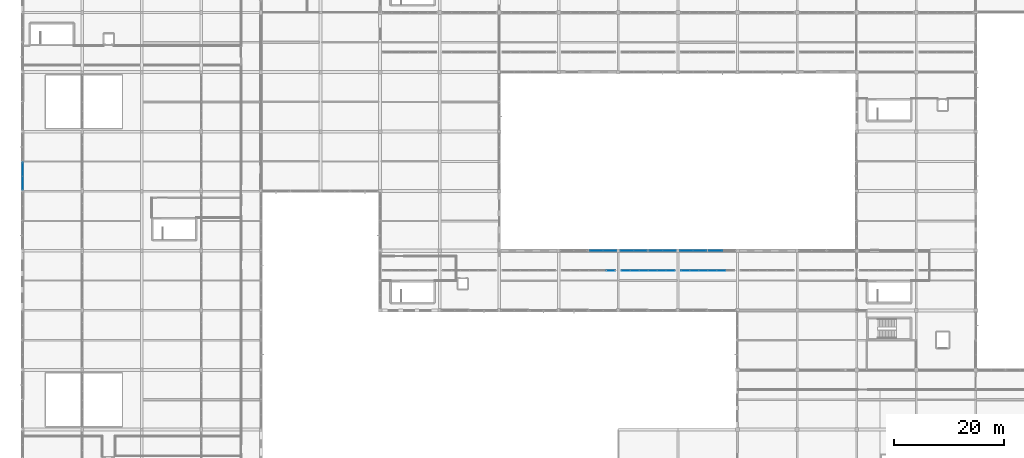
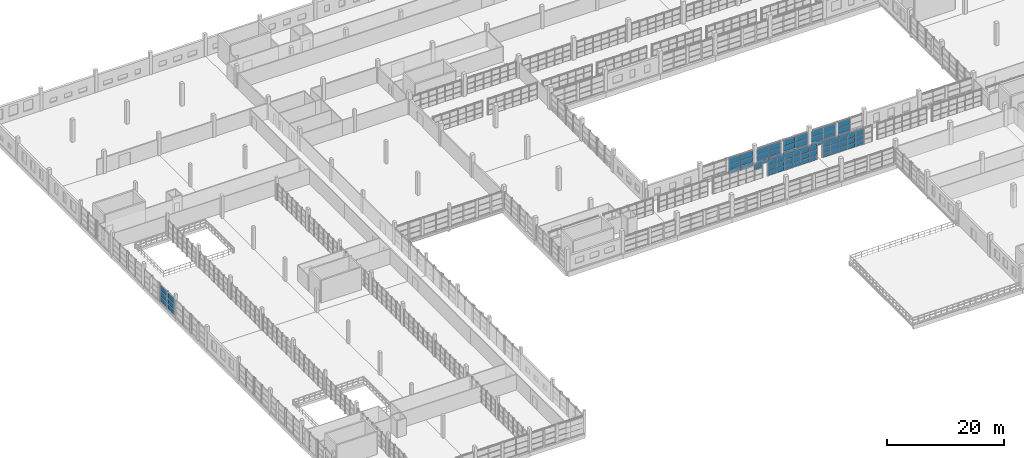
# One storey, part 88 of 142: 67 plates, 9 elements without a shape of their own.
"""IFC4 building model written with IfcOpenShell, lengths in metres."""

from ifc_helpers import new_model, si_unit, direction, frame, origin, origin_2d, place, context, subcontext, project, spatial, rectangle, extrude, material, layer, layer_set, type_object, element, aggregate, save


model = new_model("IFC4")

# Units and contexts
model_context = context("Model", 3, precision=1e-05, world=origin(), true_north=direction((0.0, 1.0)))
body_context = subcontext(model_context, "Body", "Model", "MODEL_VIEW")
ifc_project = project(units=[si_unit("LENGTHUNIT", "METRE"), si_unit("AREAUNIT", "SQUARE_METRE"), si_unit("VOLUMEUNIT", "CUBIC_METRE"), si_unit("PLANEANGLEUNIT", "RADIAN"), si_unit("MASSUNIT", "GRAM", prefix="KILO")], contexts=[model_context])

# Site, building, storey
site_placement = place(None, origin())
site = spatial("IfcSite", under=ifc_project, at=site_placement, CompositionType="ELEMENT")
building_placement = place(site_placement, origin())
building = spatial("IfcBuilding", under=site, at=building_placement, Name="Zwinboog Wholesale Market", CompositionType="ELEMENT")
storey_placement = place(building_placement, frame((0.0, 0.0, 5.39990234375)))
storey = spatial("IfcBuildingStorey", under=building, at=storey_placement, Name="L01", CompositionType="ELEMENT", Elevation=5.39990234375)

# Curtain wall, plates
ifc_material_1 = material(Name="Aluminium thermally broken curtain wall", Category="aluminium")
curtain_wall_type_1 = type_object("IfcCurtainWallType", Name="CWT-CAFE-22", PredefinedType="USERDEFINED", material=ifc_material_1)
curtain_wall_1_placement = place(storey_placement, origin())
curtain_wall_1 = element("IfcCurtainWall", 1, at=curtain_wall_1_placement, inside=storey, type_object=curtain_wall_type_1, Name="CW-05 (CW-L01-059)", ObjectType="STOREFRONT_GLAZING", PredefinedType="USERDEFINED")
ifc_material_2 = material(Name="Double low-e insulated glazing", Category="glass")
ifc_layer_1 = layer(ifc_material_2, 0.031982421875)
ifc_layer_set_1 = layer_set([ifc_layer_1], Name="Double low-e insulated glazing")
plate_type_1 = type_object("IfcPlateType", Name="CWP-IGU-32", PredefinedType="CURTAIN_PANEL", material=ifc_layer_set_1)
plate_1_placement = place(storey_placement, frame((0.0, 66.28125, 0.065185546875), z_axis=(0.0, 0.0, 1.0), x_axis=(0.0, 1.0, 0.0)))
plate_1 = element("IfcPlate", 2, at=plate_1_placement, type_object=plate_type_1, Name="CW-05 panel 1.1", PredefinedType="CURTAIN_PANEL", context=body_context, shape_type="SweptSolid", body=[
    extrude(rectangle(XDim=2.392578125, YDim=0.031982421875, at=origin_2d()), origin(), (0.0, 0.0, 1.0), 1.00244140625),
])
plate_2_placement = place(storey_placement, frame((0.0, 66.28125, 1.132568359375), z_axis=(0.0, 0.0, 1.0), x_axis=(0.0, 1.0, 0.0)))
plate_2 = element("IfcPlate", 3, at=plate_2_placement, type_object=plate_type_1, Name="CW-05 panel 1.2", PredefinedType="CURTAIN_PANEL", context=body_context, shape_type="SweptSolid", body=[
    extrude(rectangle(XDim=2.392578125, YDim=0.031982421875, at=origin_2d()), origin(), (0.0, 0.0, 1.0), 1.0849609375),
])
plate_3_placement = place(storey_placement, frame((0.0, 66.28125, 2.282470703125), z_axis=(0.0, 0.0, 1.0), x_axis=(0.0, 1.0, 0.0)))
plate_3 = element("IfcPlate", 4, at=plate_3_placement, type_object=plate_type_1, Name="CW-05 panel 1.3", PredefinedType="CURTAIN_PANEL", context=body_context, shape_type="SweptSolid", body=[
    extrude(rectangle(XDim=2.392578125, YDim=0.031982421875, at=origin_2d()), origin(), (0.0, 0.0, 1.0), 1.1826171875),
])
plate_4_placement = place(storey_placement, frame((0.0, 68.73876953125, 0.065185546875), z_axis=(0.0, 0.0, 1.0), x_axis=(0.0, 1.0, 0.0)))
plate_4 = element("IfcPlate", 5, at=plate_4_placement, type_object=plate_type_1, Name="CW-05 panel 2.1", PredefinedType="CURTAIN_PANEL", context=body_context, shape_type="SweptSolid", body=[
    extrude(rectangle(XDim=2.392578125, YDim=0.031982421875, at=origin_2d()), origin(), (0.0, 0.0, 1.0), 1.00244140625),
])
plate_5_placement = place(storey_placement, frame((0.0, 68.73876953125, 1.132568359375), z_axis=(0.0, 0.0, 1.0), x_axis=(0.0, 1.0, 0.0)))
plate_5 = element("IfcPlate", 6, at=plate_5_placement, type_object=plate_type_1, Name="CW-05 panel 2.2", PredefinedType="CURTAIN_PANEL", context=body_context, shape_type="SweptSolid", body=[
    extrude(rectangle(XDim=2.392578125, YDim=0.031982421875, at=origin_2d()), origin(), (0.0, 0.0, 1.0), 1.0849609375),
])
plate_6_placement = place(storey_placement, frame((0.0, 68.73876953125, 2.282470703125), z_axis=(0.0, 0.0, 1.0), x_axis=(0.0, 1.0, 0.0)))
plate_6 = element("IfcPlate", 7, at=plate_6_placement, type_object=plate_type_1, Name="CW-05 panel 2.3", PredefinedType="CURTAIN_PANEL", context=body_context, shape_type="SweptSolid", body=[
    extrude(rectangle(XDim=2.392578125, YDim=0.031982421875, at=origin_2d()), origin(), (0.0, 0.0, 1.0), 1.1826171875),
])
aggregate(curtain_wall_1, [plate_1, plate_2, plate_3, plate_4, plate_5, plate_6])

curtain_wall_type_2 = type_object("IfcCurtainWallType", Name="CWT-OFF-15", PredefinedType="USERDEFINED", material=ifc_material_1)
curtain_wall_2_placement = place(storey_placement, origin())
curtain_wall_2 = element("IfcCurtainWall", 8, at=curtain_wall_2_placement, inside=storey, type_object=curtain_wall_type_2, Name="CW-06 (CW-L01-102)", ObjectType="UNITIZED_CURTAIN_WALL", PredefinedType="USERDEFINED")
ifc_material_3 = material(Name="Triple solar-control insulated glazing", Category="glass")
ifc_layer_2 = layer(ifc_material_3, 0.0380859375)
ifc_layer_set_2 = layer_set([ifc_layer_2], Name="Triple solar-control insulated glazing")
plate_type_2 = type_object("IfcPlateType", Name="CWP-IGU-38", PredefinedType="CURTAIN_PANEL", material=ifc_layer_set_2)
plate_7_placement = place(storey_placement, frame((104.034912109375, 54.0, 0.06005859375), z_axis=(0.0, 0.0, 1.0), x_axis=(1.0, 0.0, 0.0)))
plate_7 = element("IfcPlate", 9, at=plate_7_placement, type_object=plate_type_2, Name="CW-06 panel 1.1", PredefinedType="CURTAIN_PANEL", context=body_context, shape_type="SweptSolid", body=[
    extrude(rectangle(XDim=2.35009765625, YDim=0.0380859375, at=origin_2d()), origin(), (0.0, 0.0, 1.0), 1.010009765625),
])
plate_8_placement = place(storey_placement, frame((104.034912109375, 54.0, 1.1298828125), z_axis=(0.0, 0.0, 1.0), x_axis=(1.0, 0.0, 0.0)))
plate_8 = element("IfcPlate", 10, at=plate_8_placement, type_object=plate_type_2, Name="CW-06 panel 1.2", PredefinedType="CURTAIN_PANEL", context=body_context, shape_type="SweptSolid", body=[
    extrude(rectangle(XDim=2.35009765625, YDim=0.0380859375, at=origin_2d()), origin(), (0.0, 0.0, 1.0), 1.090087890625),
])
plate_9_placement = place(storey_placement, frame((104.034912109375, 54.0, 2.280029296875), z_axis=(0.0, 0.0, 1.0), x_axis=(1.0, 0.0, 0.0)))
plate_9 = element("IfcPlate", 11, at=plate_9_placement, type_object=plate_type_2, Name="CW-06 panel 1.3", PredefinedType="CURTAIN_PANEL", context=body_context, shape_type="SweptSolid", body=[
    extrude(rectangle(XDim=2.35009765625, YDim=0.0380859375, at=origin_2d()), origin(), (0.0, 0.0, 1.0), 1.18994140625),
])
plate_10_placement = place(storey_placement, frame((106.445068359375, 54.0, 0.06005859375), z_axis=(0.0, 0.0, 1.0), x_axis=(1.0, 0.0, 0.0)))
plate_10 = element("IfcPlate", 12, at=plate_10_placement, type_object=plate_type_2, Name="CW-06 panel 2.1", PredefinedType="CURTAIN_PANEL", context=body_context, shape_type="SweptSolid", body=[
    extrude(rectangle(XDim=2.35009765625, YDim=0.0380859375, at=origin_2d()), origin(), (0.0, 0.0, 1.0), 1.010009765625),
])
plate_11_placement = place(storey_placement, frame((106.445068359375, 54.0, 1.1298828125), z_axis=(0.0, 0.0, 1.0), x_axis=(1.0, 0.0, 0.0)))
plate_11 = element("IfcPlate", 13, at=plate_11_placement, type_object=plate_type_2, Name="CW-06 panel 2.2", PredefinedType="CURTAIN_PANEL", context=body_context, shape_type="SweptSolid", body=[
    extrude(rectangle(XDim=2.35009765625, YDim=0.0380859375, at=origin_2d()), origin(), (0.0, 0.0, 1.0), 1.090087890625),
])
plate_12_placement = place(storey_placement, frame((106.445068359375, 54.0, 2.280029296875), z_axis=(0.0, 0.0, 1.0), x_axis=(1.0, 0.0, 0.0)))
plate_12 = element("IfcPlate", 14, at=plate_12_placement, type_object=plate_type_2, Name="CW-06 panel 2.3", PredefinedType="CURTAIN_PANEL", context=body_context, shape_type="SweptSolid", body=[
    extrude(rectangle(XDim=2.35009765625, YDim=0.0380859375, at=origin_2d()), origin(), (0.0, 0.0, 1.0), 1.18994140625),
])
aggregate(curtain_wall_2, [plate_7, plate_8, plate_9, plate_10, plate_11, plate_12])

curtain_wall_type_3 = type_object("IfcCurtainWallType", Name="CWT-HALL-24", PredefinedType="USERDEFINED", material=ifc_material_1)
curtain_wall_3_placement = place(storey_placement, origin())
curtain_wall_3 = element("IfcCurtainWall", 15, at=curtain_wall_3_placement, inside=storey, type_object=curtain_wall_type_3, Name="CW-03 (CW-L01-105)", ObjectType="UNITIZED_CURTAIN_WALL", PredefinedType="USERDEFINED")
plate_13_placement = place(storey_placement, frame((109.55615234375, 54.0, 0.065185546875), z_axis=(0.0, 0.0, 1.0), x_axis=(1.0, 0.0, 0.0)))
plate_13 = element("IfcPlate", 16, at=plate_13_placement, type_object=plate_type_2, Name="CW-03 panel 1.1", PredefinedType="CURTAIN_PANEL", context=body_context, shape_type="SweptSolid", body=[
    extrude(rectangle(XDim=2.342529296875, YDim=0.0380859375, at=origin_2d()), origin(), (0.0, 0.0, 1.0), 1.00244140625),
])
plate_14_placement = place(storey_placement, frame((109.55615234375, 54.0, 1.132568359375), z_axis=(0.0, 0.0, 1.0), x_axis=(1.0, 0.0, 0.0)))
plate_14 = element("IfcPlate", 17, at=plate_14_placement, type_object=plate_type_2, Name="CW-03 panel 1.2", PredefinedType="CURTAIN_PANEL", context=body_context, shape_type="SweptSolid", body=[
    extrude(rectangle(XDim=2.342529296875, YDim=0.0380859375, at=origin_2d()), origin(), (0.0, 0.0, 1.0), 1.0849609375),
])
plate_15_placement = place(storey_placement, frame((109.55615234375, 54.0, 2.282470703125), z_axis=(0.0, 0.0, 1.0), x_axis=(1.0, 0.0, 0.0)))
plate_15 = element("IfcPlate", 18, at=plate_15_placement, type_object=plate_type_2, Name="CW-03 panel 1.3", PredefinedType="CURTAIN_PANEL", context=body_context, shape_type="SweptSolid", body=[
    extrude(rectangle(XDim=2.342529296875, YDim=0.0380859375, at=origin_2d()), origin(), (0.0, 0.0, 1.0), 1.1826171875),
])
plate_16_placement = place(storey_placement, frame((111.9638671875, 54.0, 0.065185546875), z_axis=(0.0, 0.0, 1.0), x_axis=(1.0, 0.0, 0.0)))
plate_16 = element("IfcPlate", 19, at=plate_16_placement, type_object=plate_type_2, Name="CW-03 panel 2.1", PredefinedType="CURTAIN_PANEL", context=body_context, shape_type="SweptSolid", body=[
    extrude(rectangle(XDim=2.342529296875, YDim=0.0380859375, at=origin_2d()), origin(), (0.0, 0.0, 1.0), 1.00244140625),
])
plate_17_placement = place(storey_placement, frame((111.9638671875, 54.0, 1.132568359375), z_axis=(0.0, 0.0, 1.0), x_axis=(1.0, 0.0, 0.0)))
plate_17 = element("IfcPlate", 20, at=plate_17_placement, type_object=plate_type_2, Name="CW-03 panel 2.2", PredefinedType="CURTAIN_PANEL", context=body_context, shape_type="SweptSolid", body=[
    extrude(rectangle(XDim=2.342529296875, YDim=0.0380859375, at=origin_2d()), origin(), (0.0, 0.0, 1.0), 1.0849609375),
])
plate_18_placement = place(storey_placement, frame((111.9638671875, 54.0, 2.282470703125), z_axis=(0.0, 0.0, 1.0), x_axis=(1.0, 0.0, 0.0)))
plate_18 = element("IfcPlate", 21, at=plate_18_placement, type_object=plate_type_2, Name="CW-03 panel 2.3", PredefinedType="CURTAIN_PANEL", context=body_context, shape_type="SweptSolid", body=[
    extrude(rectangle(XDim=2.342529296875, YDim=0.0380859375, at=origin_2d()), origin(), (0.0, 0.0, 1.0), 1.1826171875),
])
aggregate(curtain_wall_3, [plate_13, plate_14, plate_15, plate_16, plate_17, plate_18])

curtain_wall_type_4 = type_object("IfcCurtainWallType", Name="CWT-GAL-16", PredefinedType="USERDEFINED", material=ifc_material_1)
curtain_wall_4_placement = place(storey_placement, origin())
curtain_wall_4 = element("IfcCurtainWall", 22, at=curtain_wall_4_placement, inside=storey, type_object=curtain_wall_type_4, Name="CW-04 (CW-L01-106)", ObjectType="UNITIZED_CURTAIN_WALL", PredefinedType="USERDEFINED")
plate_19_placement = place(storey_placement, frame((114.8349609375, 54.0, 0.06005859375), z_axis=(0.0, 0.0, 1.0), x_axis=(1.0, 0.0, 0.0)))
plate_19 = element("IfcPlate", 23, at=plate_19_placement, type_object=plate_type_2, Name="CW-04 panel 1.1", PredefinedType="CURTAIN_PANEL", context=body_context, shape_type="SweptSolid", body=[
    extrude(rectangle(XDim=2.35009765625, YDim=0.0380859375, at=origin_2d()), origin(), (0.0, 0.0, 1.0), 1.010009765625),
])
plate_20_placement = place(storey_placement, frame((114.8349609375, 54.0, 1.1298828125), z_axis=(0.0, 0.0, 1.0), x_axis=(1.0, 0.0, 0.0)))
plate_20 = element("IfcPlate", 24, at=plate_20_placement, type_object=plate_type_2, Name="CW-04 panel 1.2", PredefinedType="CURTAIN_PANEL", context=body_context, shape_type="SweptSolid", body=[
    extrude(rectangle(XDim=2.35009765625, YDim=0.0380859375, at=origin_2d()), origin(), (0.0, 0.0, 1.0), 1.090087890625),
])
plate_21_placement = place(storey_placement, frame((114.8349609375, 54.0, 2.280029296875), z_axis=(0.0, 0.0, 1.0), x_axis=(1.0, 0.0, 0.0)))
plate_21 = element("IfcPlate", 25, at=plate_21_placement, type_object=plate_type_2, Name="CW-04 panel 1.3", PredefinedType="CURTAIN_PANEL", context=body_context, shape_type="SweptSolid", body=[
    extrude(rectangle(XDim=2.35009765625, YDim=0.0380859375, at=origin_2d()), origin(), (0.0, 0.0, 1.0), 1.18994140625),
])
plate_22_placement = place(storey_placement, frame((117.2451171875, 54.0, 0.06005859375), z_axis=(0.0, 0.0, 1.0), x_axis=(1.0, 0.0, 0.0)))
plate_22 = element("IfcPlate", 26, at=plate_22_placement, type_object=plate_type_2, Name="CW-04 panel 2.1", PredefinedType="CURTAIN_PANEL", context=body_context, shape_type="SweptSolid", body=[
    extrude(rectangle(XDim=2.35009765625, YDim=0.0380859375, at=origin_2d()), origin(), (0.0, 0.0, 1.0), 1.010009765625),
])
plate_23_placement = place(storey_placement, frame((117.2451171875, 54.0, 1.1298828125), z_axis=(0.0, 0.0, 1.0), x_axis=(1.0, 0.0, 0.0)))
plate_23 = element("IfcPlate", 27, at=plate_23_placement, type_object=plate_type_2, Name="CW-04 panel 2.2", PredefinedType="CURTAIN_PANEL", context=body_context, shape_type="SweptSolid", body=[
    extrude(rectangle(XDim=2.35009765625, YDim=0.0380859375, at=origin_2d()), origin(), (0.0, 0.0, 1.0), 1.090087890625),
])
plate_24_placement = place(storey_placement, frame((117.2451171875, 54.0, 2.280029296875), z_axis=(0.0, 0.0, 1.0), x_axis=(1.0, 0.0, 0.0)))
plate_24 = element("IfcPlate", 28, at=plate_24_placement, type_object=plate_type_2, Name="CW-04 panel 2.3", PredefinedType="CURTAIN_PANEL", context=body_context, shape_type="SweptSolid", body=[
    extrude(rectangle(XDim=2.35009765625, YDim=0.0380859375, at=origin_2d()), origin(), (0.0, 0.0, 1.0), 1.18994140625),
])
aggregate(curtain_wall_4, [plate_19, plate_20, plate_21, plate_22, plate_23, plate_24])

curtain_wall_5_placement = place(storey_placement, origin())
curtain_wall_5 = element("IfcCurtainWall", 29, at=curtain_wall_5_placement, inside=storey, type_object=curtain_wall_type_3, Name="CW-03 (CW-L01-111)", ObjectType="UNITIZED_CURTAIN_WALL", PredefinedType="USERDEFINED")
plate_25_placement = place(storey_placement, frame((120.356201171875, 54.0, 0.065185546875), z_axis=(0.0, 0.0, 1.0), x_axis=(1.0, 0.0, 0.0)))
plate_25 = element("IfcPlate", 30, at=plate_25_placement, type_object=plate_type_2, Name="CW-03 panel 1.1", PredefinedType="CURTAIN_PANEL", context=body_context, shape_type="SweptSolid", body=[
    extrude(rectangle(XDim=2.342529296875, YDim=0.0380859375, at=origin_2d()), origin(), (0.0, 0.0, 1.0), 1.00244140625),
])
plate_26_placement = place(storey_placement, frame((120.356201171875, 54.0, 1.132568359375), z_axis=(0.0, 0.0, 1.0), x_axis=(1.0, 0.0, 0.0)))
plate_26 = element("IfcPlate", 31, at=plate_26_placement, type_object=plate_type_2, Name="CW-03 panel 1.2", PredefinedType="CURTAIN_PANEL", context=body_context, shape_type="SweptSolid", body=[
    extrude(rectangle(XDim=2.342529296875, YDim=0.0380859375, at=origin_2d()), origin(), (0.0, 0.0, 1.0), 1.0849609375),
])
plate_27_placement = place(storey_placement, frame((120.356201171875, 54.0, 2.282470703125), z_axis=(0.0, 0.0, 1.0), x_axis=(1.0, 0.0, 0.0)))
plate_27 = element("IfcPlate", 32, at=plate_27_placement, type_object=plate_type_2, Name="CW-03 panel 1.3", PredefinedType="CURTAIN_PANEL", context=body_context, shape_type="SweptSolid", body=[
    extrude(rectangle(XDim=2.342529296875, YDim=0.0380859375, at=origin_2d()), origin(), (0.0, 0.0, 1.0), 1.1826171875),
])
plate_28_placement = place(storey_placement, frame((122.763671875, 54.0, 0.065185546875), z_axis=(0.0, 0.0, 1.0), x_axis=(1.0, 0.0, 0.0)))
plate_28 = element("IfcPlate", 33, at=plate_28_placement, type_object=plate_type_2, Name="CW-03 panel 2.1", PredefinedType="CURTAIN_PANEL", context=body_context, shape_type="SweptSolid", body=[
    extrude(rectangle(XDim=2.342529296875, YDim=0.0380859375, at=origin_2d()), origin(), (0.0, 0.0, 1.0), 1.00244140625),
])
plate_29_placement = place(storey_placement, frame((122.763671875, 54.0, 1.132568359375), z_axis=(0.0, 0.0, 1.0), x_axis=(1.0, 0.0, 0.0)))
plate_29 = element("IfcPlate", 34, at=plate_29_placement, type_object=plate_type_2, Name="CW-03 panel 2.2", PredefinedType="CURTAIN_PANEL", context=body_context, shape_type="SweptSolid", body=[
    extrude(rectangle(XDim=2.342529296875, YDim=0.0380859375, at=origin_2d()), origin(), (0.0, 0.0, 1.0), 1.0849609375),
])
plate_30_placement = place(storey_placement, frame((122.763671875, 54.0, 2.282470703125), z_axis=(0.0, 0.0, 1.0), x_axis=(1.0, 0.0, 0.0)))
plate_30 = element("IfcPlate", 35, at=plate_30_placement, type_object=plate_type_2, Name="CW-03 panel 2.3", PredefinedType="CURTAIN_PANEL", context=body_context, shape_type="SweptSolid", body=[
    extrude(rectangle(XDim=2.342529296875, YDim=0.0380859375, at=origin_2d()), origin(), (0.0, 0.0, 1.0), 1.1826171875),
])
aggregate(curtain_wall_5, [plate_25, plate_26, plate_27, plate_28, plate_29, plate_30])

curtain_wall_6_placement = place(storey_placement, origin())
curtain_wall_6 = element("IfcCurtainWall", 36, at=curtain_wall_6_placement, inside=storey, type_object=curtain_wall_type_4, Name="CW-04 (CW-L01-112)", ObjectType="UNITIZED_CURTAIN_WALL", PredefinedType="USERDEFINED")
plate_31_placement = place(storey_placement, frame((125.635009765625, 54.0, 0.06005859375), z_axis=(0.0, 0.0, 1.0), x_axis=(1.0, 0.0, 0.0)))
plate_31 = element("IfcPlate", 37, at=plate_31_placement, type_object=plate_type_2, Name="CW-04 panel 1.1", PredefinedType="CURTAIN_PANEL", context=body_context, shape_type="SweptSolid", body=[
    extrude(rectangle(XDim=2.35009765625, YDim=0.0380859375, at=origin_2d()), origin(), (0.0, 0.0, 1.0), 1.010009765625),
])
plate_32_placement = place(storey_placement, frame((125.635009765625, 54.0, 1.1298828125), z_axis=(0.0, 0.0, 1.0), x_axis=(1.0, 0.0, 0.0)))
plate_32 = element("IfcPlate", 38, at=plate_32_placement, type_object=plate_type_2, Name="CW-04 panel 1.2", PredefinedType="CURTAIN_PANEL", context=body_context, shape_type="SweptSolid", body=[
    extrude(rectangle(XDim=2.35009765625, YDim=0.0380859375, at=origin_2d()), origin(), (0.0, 0.0, 1.0), 1.090087890625),
])
plate_33_placement = place(storey_placement, frame((125.635009765625, 54.0, 2.280029296875), z_axis=(0.0, 0.0, 1.0), x_axis=(1.0, 0.0, 0.0)))
plate_33 = element("IfcPlate", 39, at=plate_33_placement, type_object=plate_type_2, Name="CW-04 panel 1.3", PredefinedType="CURTAIN_PANEL", context=body_context, shape_type="SweptSolid", body=[
    extrude(rectangle(XDim=2.35009765625, YDim=0.0380859375, at=origin_2d()), origin(), (0.0, 0.0, 1.0), 1.18994140625),
])
aggregate(curtain_wall_6, [plate_31, plate_32, plate_33])

# Curtain wall, plate
curtain_wall_type_5 = type_object("IfcCurtainWallType", Name="CWT-INT-STALL", PredefinedType="USERDEFINED", material=ifc_material_1)
curtain_wall_7_placement = place(storey_placement, origin())
curtain_wall_7 = element("IfcCurtainWall", 40, at=curtain_wall_7_placement, inside=storey, type_object=curtain_wall_type_5, Name="CW-07 (CW-STL-228)", ObjectType="STOREFRONT_GLAZING", PredefinedType="USERDEFINED")
ifc_material_4 = material(Name="Tempered laminated market stall glazing", Category="glass")
ifc_layer_3 = layer(ifc_material_4, 0.01611328125)
ifc_layer_set_3 = layer_set([ifc_layer_3], Name="Tempered laminated market stall glazing")
plate_type_3 = type_object("IfcPlateType", Name="CWP-INT-16", PredefinedType="CURTAIN_PANEL", material=ifc_layer_set_3)
plate_34_placement = place(storey_placement, frame((106.626708984375, 50.39990234375, 2.22998046875), z_axis=(0.0, 0.0, 1.0), x_axis=(1.0, 0.0, 0.0)))
plate_34 = element("IfcPlate", 41, at=plate_34_placement, type_object=plate_type_3, Name="CW-07 panel 6.3", PredefinedType="CURTAIN_PANEL", context=body_context, shape_type="SweptSolid", body=[
    extrude(rectangle(XDim=1.526611328125, YDim=0.01611328125, at=origin_2d()), origin(), (0.0, 0.0, 1.0), 1.110107421875),
])
aggregate(curtain_wall_7, [plate_34])

# Curtain wall, plates
curtain_wall_8_placement = place(storey_placement, origin())
curtain_wall_8 = element("IfcCurtainWall", 42, at=curtain_wall_8_placement, inside=storey, type_object=curtain_wall_type_5, Name="CW-07 (CW-STL-229)", ObjectType="STOREFRONT_GLAZING", PredefinedType="USERDEFINED")
plate_35_placement = place(storey_placement, frame((109.373291015625, 50.39990234375, 0.06005859375), z_axis=(0.0, 0.0, 1.0), x_axis=(1.0, 0.0, 0.0)))
plate_35 = element("IfcPlate", 43, at=plate_35_placement, type_object=plate_type_3, Name="CW-07 panel 1.1", PredefinedType="CURTAIN_PANEL", context=body_context, shape_type="SweptSolid", body=[
    extrude(rectangle(XDim=1.526611328125, YDim=0.01611328125, at=origin_2d()), origin(), (0.0, 0.0, 1.0), 0.9599609375),
])
plate_36_placement = place(storey_placement, frame((109.373291015625, 50.39990234375, 1.080078125), z_axis=(0.0, 0.0, 1.0), x_axis=(1.0, 0.0, 0.0)))
plate_36 = element("IfcPlate", 44, at=plate_36_placement, type_object=plate_type_3, Name="CW-07 panel 1.2", PredefinedType="CURTAIN_PANEL", context=body_context, shape_type="SweptSolid", body=[
    extrude(rectangle(XDim=1.526611328125, YDim=0.01611328125, at=origin_2d()), origin(), (0.0, 0.0, 1.0), 1.090087890625),
])
plate_37_placement = place(storey_placement, frame((109.373291015625, 50.39990234375, 2.22998046875), z_axis=(0.0, 0.0, 1.0), x_axis=(1.0, 0.0, 0.0)))
plate_37 = element("IfcPlate", 45, at=plate_37_placement, type_object=plate_type_3, Name="CW-07 panel 1.3", PredefinedType="CURTAIN_PANEL", context=body_context, shape_type="SweptSolid", body=[
    extrude(rectangle(XDim=1.526611328125, YDim=0.01611328125, at=origin_2d()), origin(), (0.0, 0.0, 1.0), 1.110107421875),
])
plate_38_placement = place(storey_placement, frame((110.97509765625, 50.39990234375, 0.06005859375), z_axis=(0.0, 0.0, 1.0), x_axis=(1.0, 0.0, 0.0)))
plate_38 = element("IfcPlate", 46, at=plate_38_placement, type_object=plate_type_3, Name="CW-07 panel 2.1", PredefinedType="CURTAIN_PANEL", context=body_context, shape_type="SweptSolid", body=[
    extrude(rectangle(XDim=1.556640625, YDim=0.01611328125, at=origin_2d()), origin(), (0.0, 0.0, 1.0), 0.9599609375),
])
plate_39_placement = place(storey_placement, frame((110.97509765625, 50.39990234375, 1.080078125), z_axis=(0.0, 0.0, 1.0), x_axis=(1.0, 0.0, 0.0)))
plate_39 = element("IfcPlate", 47, at=plate_39_placement, type_object=plate_type_3, Name="CW-07 panel 2.2", PredefinedType="CURTAIN_PANEL", context=body_context, shape_type="SweptSolid", body=[
    extrude(rectangle(XDim=1.556640625, YDim=0.01611328125, at=origin_2d()), origin(), (0.0, 0.0, 1.0), 1.090087890625),
])
plate_40_placement = place(storey_placement, frame((110.97509765625, 50.39990234375, 2.22998046875), z_axis=(0.0, 0.0, 1.0), x_axis=(1.0, 0.0, 0.0)))
plate_40 = element("IfcPlate", 48, at=plate_40_placement, type_object=plate_type_3, Name="CW-07 panel 2.3", PredefinedType="CURTAIN_PANEL", context=body_context, shape_type="SweptSolid", body=[
    extrude(rectangle(XDim=1.556640625, YDim=0.01611328125, at=origin_2d()), origin(), (0.0, 0.0, 1.0), 1.110107421875),
])
plate_41_placement = place(storey_placement, frame((112.591552734375, 50.39990234375, 0.06005859375), z_axis=(0.0, 0.0, 1.0), x_axis=(1.0, 0.0, 0.0)))
plate_41 = element("IfcPlate", 49, at=plate_41_placement, type_object=plate_type_3, Name="CW-07 panel 3.1", PredefinedType="CURTAIN_PANEL", context=body_context, shape_type="SweptSolid", body=[
    extrude(rectangle(XDim=1.556640625, YDim=0.01611328125, at=origin_2d()), origin(), (0.0, 0.0, 1.0), 0.9599609375),
])
plate_42_placement = place(storey_placement, frame((112.591552734375, 50.39990234375, 1.080078125), z_axis=(0.0, 0.0, 1.0), x_axis=(1.0, 0.0, 0.0)))
plate_42 = element("IfcPlate", 50, at=plate_42_placement, type_object=plate_type_3, Name="CW-07 panel 3.2", PredefinedType="CURTAIN_PANEL", context=body_context, shape_type="SweptSolid", body=[
    extrude(rectangle(XDim=1.556640625, YDim=0.01611328125, at=origin_2d()), origin(), (0.0, 0.0, 1.0), 1.090087890625),
])
plate_43_placement = place(storey_placement, frame((112.591552734375, 50.39990234375, 2.22998046875), z_axis=(0.0, 0.0, 1.0), x_axis=(1.0, 0.0, 0.0)))
plate_43 = element("IfcPlate", 51, at=plate_43_placement, type_object=plate_type_3, Name="CW-07 panel 3.3", PredefinedType="CURTAIN_PANEL", context=body_context, shape_type="SweptSolid", body=[
    extrude(rectangle(XDim=1.556640625, YDim=0.01611328125, at=origin_2d()), origin(), (0.0, 0.0, 1.0), 1.110107421875),
])
plate_44_placement = place(storey_placement, frame((114.208251953125, 50.39990234375, 0.06005859375), z_axis=(0.0, 0.0, 1.0), x_axis=(1.0, 0.0, 0.0)))
plate_44 = element("IfcPlate", 52, at=plate_44_placement, type_object=plate_type_3, Name="CW-07 panel 4.1", PredefinedType="CURTAIN_PANEL", context=body_context, shape_type="SweptSolid", body=[
    extrude(rectangle(XDim=1.556640625, YDim=0.01611328125, at=origin_2d()), origin(), (0.0, 0.0, 1.0), 0.9599609375),
])
plate_45_placement = place(storey_placement, frame((114.208251953125, 50.39990234375, 1.080078125), z_axis=(0.0, 0.0, 1.0), x_axis=(1.0, 0.0, 0.0)))
plate_45 = element("IfcPlate", 53, at=plate_45_placement, type_object=plate_type_3, Name="CW-07 panel 4.2", PredefinedType="CURTAIN_PANEL", context=body_context, shape_type="SweptSolid", body=[
    extrude(rectangle(XDim=1.556640625, YDim=0.01611328125, at=origin_2d()), origin(), (0.0, 0.0, 1.0), 1.090087890625),
])
plate_46_placement = place(storey_placement, frame((114.208251953125, 50.39990234375, 2.22998046875), z_axis=(0.0, 0.0, 1.0), x_axis=(1.0, 0.0, 0.0)))
plate_46 = element("IfcPlate", 54, at=plate_46_placement, type_object=plate_type_3, Name="CW-07 panel 4.3", PredefinedType="CURTAIN_PANEL", context=body_context, shape_type="SweptSolid", body=[
    extrude(rectangle(XDim=1.556640625, YDim=0.01611328125, at=origin_2d()), origin(), (0.0, 0.0, 1.0), 1.110107421875),
])
plate_47_placement = place(storey_placement, frame((115.824951171875, 50.39990234375, 0.06005859375), z_axis=(0.0, 0.0, 1.0), x_axis=(1.0, 0.0, 0.0)))
plate_47 = element("IfcPlate", 55, at=plate_47_placement, type_object=plate_type_3, Name="CW-07 panel 5.1", PredefinedType="CURTAIN_PANEL", context=body_context, shape_type="SweptSolid", body=[
    extrude(rectangle(XDim=1.556640625, YDim=0.01611328125, at=origin_2d()), origin(), (0.0, 0.0, 1.0), 0.9599609375),
])
plate_48_placement = place(storey_placement, frame((115.824951171875, 50.39990234375, 1.080078125), z_axis=(0.0, 0.0, 1.0), x_axis=(1.0, 0.0, 0.0)))
plate_48 = element("IfcPlate", 56, at=plate_48_placement, type_object=plate_type_3, Name="CW-07 panel 5.2", PredefinedType="CURTAIN_PANEL", context=body_context, shape_type="SweptSolid", body=[
    extrude(rectangle(XDim=1.556640625, YDim=0.01611328125, at=origin_2d()), origin(), (0.0, 0.0, 1.0), 1.090087890625),
])
plate_49_placement = place(storey_placement, frame((115.824951171875, 50.39990234375, 2.22998046875), z_axis=(0.0, 0.0, 1.0), x_axis=(1.0, 0.0, 0.0)))
plate_49 = element("IfcPlate", 57, at=plate_49_placement, type_object=plate_type_3, Name="CW-07 panel 5.3", PredefinedType="CURTAIN_PANEL", context=body_context, shape_type="SweptSolid", body=[
    extrude(rectangle(XDim=1.556640625, YDim=0.01611328125, at=origin_2d()), origin(), (0.0, 0.0, 1.0), 1.110107421875),
])
plate_50_placement = place(storey_placement, frame((117.4267578125, 50.39990234375, 0.06005859375), z_axis=(0.0, 0.0, 1.0), x_axis=(1.0, 0.0, 0.0)))
plate_50 = element("IfcPlate", 58, at=plate_50_placement, type_object=plate_type_3, Name="CW-07 panel 6.1", PredefinedType="CURTAIN_PANEL", context=body_context, shape_type="SweptSolid", body=[
    extrude(rectangle(XDim=1.526611328125, YDim=0.01611328125, at=origin_2d()), origin(), (0.0, 0.0, 1.0), 0.9599609375),
])
plate_51_placement = place(storey_placement, frame((117.4267578125, 50.39990234375, 1.080078125), z_axis=(0.0, 0.0, 1.0), x_axis=(1.0, 0.0, 0.0)))
plate_51 = element("IfcPlate", 59, at=plate_51_placement, type_object=plate_type_3, Name="CW-07 panel 6.2", PredefinedType="CURTAIN_PANEL", context=body_context, shape_type="SweptSolid", body=[
    extrude(rectangle(XDim=1.526611328125, YDim=0.01611328125, at=origin_2d()), origin(), (0.0, 0.0, 1.0), 1.090087890625),
])
plate_52_placement = place(storey_placement, frame((117.4267578125, 50.39990234375, 2.22998046875), z_axis=(0.0, 0.0, 1.0), x_axis=(1.0, 0.0, 0.0)))
plate_52 = element("IfcPlate", 60, at=plate_52_placement, type_object=plate_type_3, Name="CW-07 panel 6.3", PredefinedType="CURTAIN_PANEL", context=body_context, shape_type="SweptSolid", body=[
    extrude(rectangle(XDim=1.526611328125, YDim=0.01611328125, at=origin_2d()), origin(), (0.0, 0.0, 1.0), 1.110107421875),
])
aggregate(curtain_wall_8, [plate_35, plate_36, plate_37, plate_38, plate_39, plate_40, plate_41, plate_42, plate_43, plate_44, plate_45, plate_46, plate_47, plate_48, plate_49, plate_50, plate_51, plate_52])

curtain_wall_9_placement = place(storey_placement, origin())
curtain_wall_9 = element("IfcCurtainWall", 61, at=curtain_wall_9_placement, inside=storey, type_object=curtain_wall_type_5, Name="CW-07 (CW-STL-230)", ObjectType="STOREFRONT_GLAZING", PredefinedType="USERDEFINED")
plate_53_placement = place(storey_placement, frame((120.17333984375, 50.39990234375, 0.06005859375), z_axis=(0.0, 0.0, 1.0), x_axis=(1.0, 0.0, 0.0)))
plate_53 = element("IfcPlate", 62, at=plate_53_placement, type_object=plate_type_3, Name="CW-07 panel 1.1", PredefinedType="CURTAIN_PANEL", context=body_context, shape_type="SweptSolid", body=[
    extrude(rectangle(XDim=1.526611328125, YDim=0.01611328125, at=origin_2d()), origin(), (0.0, 0.0, 1.0), 0.9599609375),
])
plate_54_placement = place(storey_placement, frame((120.17333984375, 50.39990234375, 1.080078125), z_axis=(0.0, 0.0, 1.0), x_axis=(1.0, 0.0, 0.0)))
plate_54 = element("IfcPlate", 63, at=plate_54_placement, type_object=plate_type_3, Name="CW-07 panel 1.2", PredefinedType="CURTAIN_PANEL", context=body_context, shape_type="SweptSolid", body=[
    extrude(rectangle(XDim=1.526611328125, YDim=0.01611328125, at=origin_2d()), origin(), (0.0, 0.0, 1.0), 1.090087890625),
])
plate_55_placement = place(storey_placement, frame((120.17333984375, 50.39990234375, 2.22998046875), z_axis=(0.0, 0.0, 1.0), x_axis=(1.0, 0.0, 0.0)))
plate_55 = element("IfcPlate", 64, at=plate_55_placement, type_object=plate_type_3, Name="CW-07 panel 1.3", PredefinedType="CURTAIN_PANEL", context=body_context, shape_type="SweptSolid", body=[
    extrude(rectangle(XDim=1.526611328125, YDim=0.01611328125, at=origin_2d()), origin(), (0.0, 0.0, 1.0), 1.110107421875),
])
plate_56_placement = place(storey_placement, frame((121.77490234375, 50.39990234375, 0.06005859375), z_axis=(0.0, 0.0, 1.0), x_axis=(1.0, 0.0, 0.0)))
plate_56 = element("IfcPlate", 65, at=plate_56_placement, type_object=plate_type_3, Name="CW-07 panel 2.1", PredefinedType="CURTAIN_PANEL", context=body_context, shape_type="SweptSolid", body=[
    extrude(rectangle(XDim=1.556640625, YDim=0.01611328125, at=origin_2d()), origin(), (0.0, 0.0, 1.0), 0.9599609375),
])
plate_57_placement = place(storey_placement, frame((121.77490234375, 50.39990234375, 1.080078125), z_axis=(0.0, 0.0, 1.0), x_axis=(1.0, 0.0, 0.0)))
plate_57 = element("IfcPlate", 66, at=plate_57_placement, type_object=plate_type_3, Name="CW-07 panel 2.2", PredefinedType="CURTAIN_PANEL", context=body_context, shape_type="SweptSolid", body=[
    extrude(rectangle(XDim=1.556640625, YDim=0.01611328125, at=origin_2d()), origin(), (0.0, 0.0, 1.0), 1.090087890625),
])
plate_58_placement = place(storey_placement, frame((121.77490234375, 50.39990234375, 2.22998046875), z_axis=(0.0, 0.0, 1.0), x_axis=(1.0, 0.0, 0.0)))
plate_58 = element("IfcPlate", 67, at=plate_58_placement, type_object=plate_type_3, Name="CW-07 panel 2.3", PredefinedType="CURTAIN_PANEL", context=body_context, shape_type="SweptSolid", body=[
    extrude(rectangle(XDim=1.556640625, YDim=0.01611328125, at=origin_2d()), origin(), (0.0, 0.0, 1.0), 1.110107421875),
])
plate_59_placement = place(storey_placement, frame((123.3916015625, 50.39990234375, 0.06005859375), z_axis=(0.0, 0.0, 1.0), x_axis=(1.0, 0.0, 0.0)))
plate_59 = element("IfcPlate", 68, at=plate_59_placement, type_object=plate_type_3, Name="CW-07 panel 3.1", PredefinedType="CURTAIN_PANEL", context=body_context, shape_type="SweptSolid", body=[
    extrude(rectangle(XDim=1.556640625, YDim=0.01611328125, at=origin_2d()), origin(), (0.0, 0.0, 1.0), 0.9599609375),
])
plate_60_placement = place(storey_placement, frame((123.3916015625, 50.39990234375, 1.080078125), z_axis=(0.0, 0.0, 1.0), x_axis=(1.0, 0.0, 0.0)))
plate_60 = element("IfcPlate", 69, at=plate_60_placement, type_object=plate_type_3, Name="CW-07 panel 3.2", PredefinedType="CURTAIN_PANEL", context=body_context, shape_type="SweptSolid", body=[
    extrude(rectangle(XDim=1.556640625, YDim=0.01611328125, at=origin_2d()), origin(), (0.0, 0.0, 1.0), 1.090087890625),
])
plate_61_placement = place(storey_placement, frame((123.3916015625, 50.39990234375, 2.22998046875), z_axis=(0.0, 0.0, 1.0), x_axis=(1.0, 0.0, 0.0)))
plate_61 = element("IfcPlate", 70, at=plate_61_placement, type_object=plate_type_3, Name="CW-07 panel 3.3", PredefinedType="CURTAIN_PANEL", context=body_context, shape_type="SweptSolid", body=[
    extrude(rectangle(XDim=1.556640625, YDim=0.01611328125, at=origin_2d()), origin(), (0.0, 0.0, 1.0), 1.110107421875),
])
plate_62_placement = place(storey_placement, frame((125.00830078125, 50.39990234375, 0.06005859375), z_axis=(0.0, 0.0, 1.0), x_axis=(1.0, 0.0, 0.0)))
plate_62 = element("IfcPlate", 71, at=plate_62_placement, type_object=plate_type_3, Name="CW-07 panel 4.1", PredefinedType="CURTAIN_PANEL", context=body_context, shape_type="SweptSolid", body=[
    extrude(rectangle(XDim=1.556640625, YDim=0.01611328125, at=origin_2d()), origin(), (0.0, 0.0, 1.0), 0.9599609375),
])
plate_63_placement = place(storey_placement, frame((125.00830078125, 50.39990234375, 1.080078125), z_axis=(0.0, 0.0, 1.0), x_axis=(1.0, 0.0, 0.0)))
plate_63 = element("IfcPlate", 72, at=plate_63_placement, type_object=plate_type_3, Name="CW-07 panel 4.2", PredefinedType="CURTAIN_PANEL", context=body_context, shape_type="SweptSolid", body=[
    extrude(rectangle(XDim=1.556640625, YDim=0.01611328125, at=origin_2d()), origin(), (0.0, 0.0, 1.0), 1.090087890625),
])
plate_64_placement = place(storey_placement, frame((125.00830078125, 50.39990234375, 2.22998046875), z_axis=(0.0, 0.0, 1.0), x_axis=(1.0, 0.0, 0.0)))
plate_64 = element("IfcPlate", 73, at=plate_64_placement, type_object=plate_type_3, Name="CW-07 panel 4.3", PredefinedType="CURTAIN_PANEL", context=body_context, shape_type="SweptSolid", body=[
    extrude(rectangle(XDim=1.556640625, YDim=0.01611328125, at=origin_2d()), origin(), (0.0, 0.0, 1.0), 1.110107421875),
])
plate_65_placement = place(storey_placement, frame((126.625, 50.39990234375, 0.06005859375), z_axis=(0.0, 0.0, 1.0), x_axis=(1.0, 0.0, 0.0)))
plate_65 = element("IfcPlate", 74, at=plate_65_placement, type_object=plate_type_3, Name="CW-07 panel 5.1", PredefinedType="CURTAIN_PANEL", context=body_context, shape_type="SweptSolid", body=[
    extrude(rectangle(XDim=1.556640625, YDim=0.01611328125, at=origin_2d()), origin(), (0.0, 0.0, 1.0), 0.9599609375),
])
plate_66_placement = place(storey_placement, frame((126.625, 50.39990234375, 1.080078125), z_axis=(0.0, 0.0, 1.0), x_axis=(1.0, 0.0, 0.0)))
plate_66 = element("IfcPlate", 75, at=plate_66_placement, type_object=plate_type_3, Name="CW-07 panel 5.2", PredefinedType="CURTAIN_PANEL", context=body_context, shape_type="SweptSolid", body=[
    extrude(rectangle(XDim=1.556640625, YDim=0.01611328125, at=origin_2d()), origin(), (0.0, 0.0, 1.0), 1.090087890625),
])
plate_67_placement = place(storey_placement, frame((126.625, 50.39990234375, 2.22998046875), z_axis=(0.0, 0.0, 1.0), x_axis=(1.0, 0.0, 0.0)))
plate_67 = element("IfcPlate", 76, at=plate_67_placement, type_object=plate_type_3, Name="CW-07 panel 5.3", PredefinedType="CURTAIN_PANEL", context=body_context, shape_type="SweptSolid", body=[
    extrude(rectangle(XDim=1.556640625, YDim=0.01611328125, at=origin_2d()), origin(), (0.0, 0.0, 1.0), 1.110107421875),
])
aggregate(curtain_wall_9, [plate_53, plate_54, plate_55, plate_56, plate_57, plate_58, plate_59, plate_60, plate_61, plate_62, plate_63, plate_64, plate_65, plate_66, plate_67])

save(model, "model.ifc")
